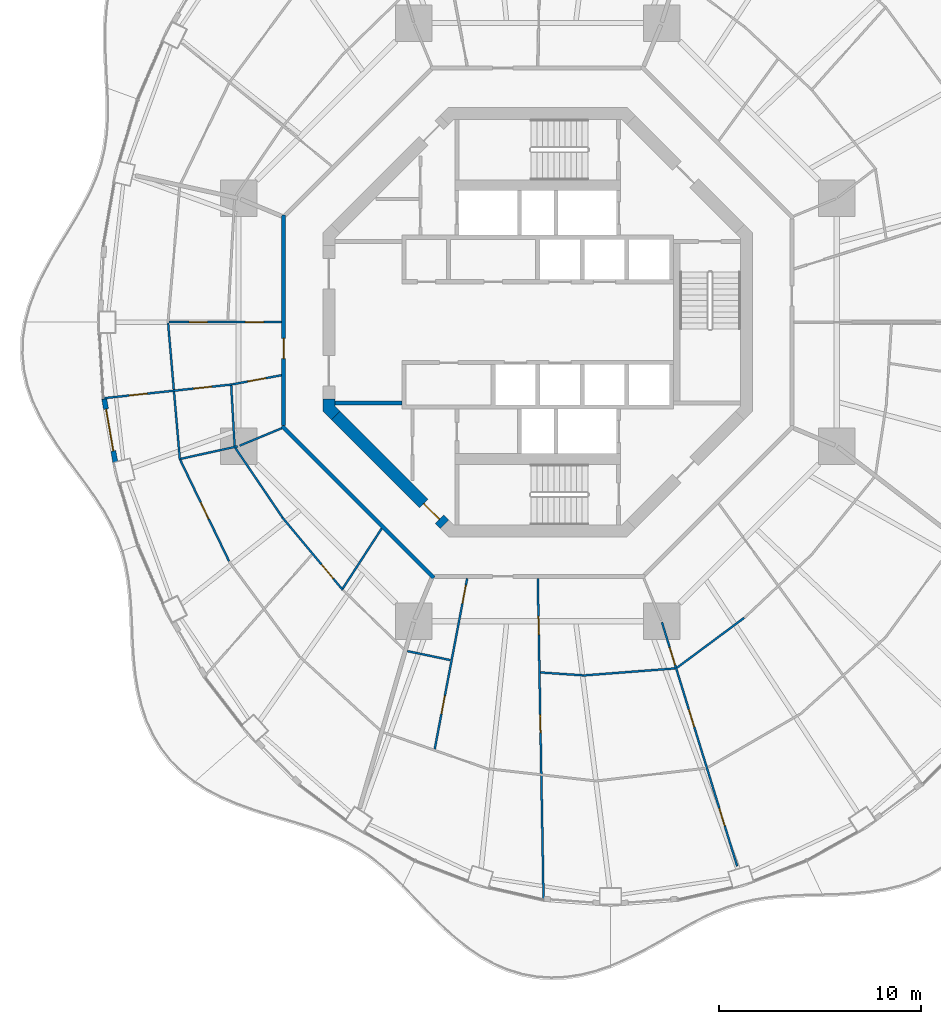
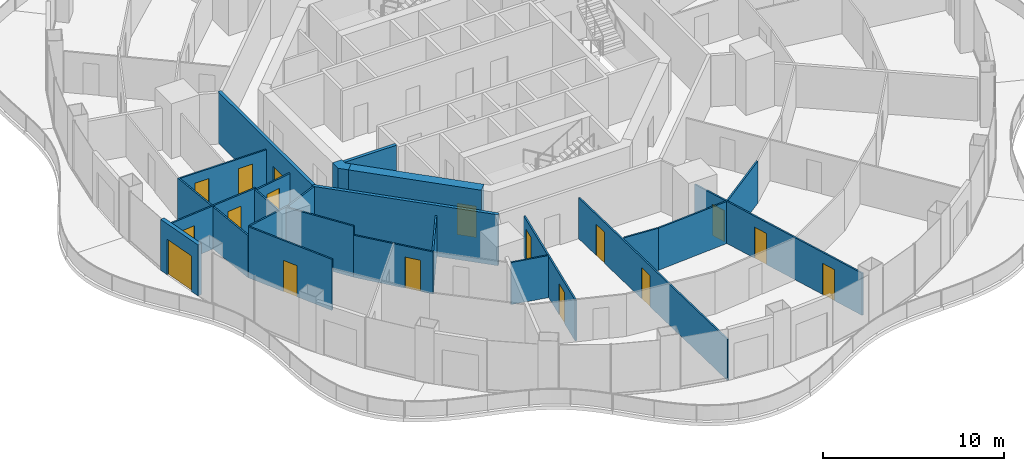
# One storey, part 11 of 19: 24 walls, 17 doors, 17 openings.
"""IFC4 building model written with IfcOpenShell, lengths in metres."""

from ifc_helpers import new_model, si_unit, direction, frame, frame_2d, origin, place, context, subcontext, project, spatial, polyline, rectangle, outline, extrude, material, layer, layer_set, type_object, element, fill, save


model = new_model("IFC4")

# Units and contexts
model_context = context("Model", 3, precision=1e-05, world=origin(), true_north=direction((0.0, 1.0)))
body_context = subcontext(model_context, "Body", "Model", "MODEL_VIEW")
ifc_project = project(units=[si_unit("LENGTHUNIT", "METRE"), si_unit("AREAUNIT", "SQUARE_METRE"), si_unit("VOLUMEUNIT", "CUBIC_METRE"), si_unit("PLANEANGLEUNIT", "RADIAN"), si_unit("MASSUNIT", "GRAM", prefix="KILO")], contexts=[model_context])

# Site, building, storey
site_placement = place(None, origin())
site = spatial("IfcSite", under=ifc_project, at=site_placement, CompositionType="ELEMENT")
building_placement = place(site_placement, origin())
building = spatial("IfcBuilding", under=site, at=building_placement, Name="Nagisa Residences", CompositionType="ELEMENT")
storey_placement = place(building_placement, frame((0.0, 0.0, 173.300048828125)))
storey = spatial("IfcBuildingStorey", under=building, at=storey_placement, Name="L43", CompositionType="ELEMENT", Elevation=173.300048828125)

# Wall, opening, door
ifc_material_1 = material(Name="Gypsum board on steel studs", Category="steel")
ifc_layer_1 = layer(ifc_material_1, 0.199951171875)
ifc_layer_set_1 = layer_set([ifc_layer_1], Name="Apartment entry wall EI60 200")
wall_type_1 = type_object("IfcWallType", Name="Apartment entry wall EI60 200", PredefinedType="PARTITIONING", material=ifc_layer_set_1)
wall_1_placement = place(storey_placement, frame((-12.564697265625, 5.304443359375, 0.0), z_axis=(0.0, 0.0, 1.0), x_axis=(0.0, -1.0, 0.0)))
wall_1 = element("IfcWall", 1, at=wall_1_placement, inside=storey, type_object=wall_type_1, Name="wall:L43:u12", PredefinedType="PARTITIONING", context=body_context, shape_type="SweptSolid", body=[
    extrude(rectangle(XDim=10.408935546875, YDim=0.199951171875, at=frame_2d((5.20458984375, 0.0))), origin(), (0.0, 0.0, 1.0), 3.43994140625),
])
opening_1_placement = place(wall_1_placement, frame((6.105712890625, 0.0, 0.0)))
opening_1 = element("IfcOpeningElement", 2, at=opening_1_placement, cuts=wall_1, Name="Opening L43-U28", PredefinedType="OPENING", context=body_context, shape_type="SweptSolid", body=[
    extrude(rectangle(XDim=1.0, YDim=2.10009765625, at=frame_2d((0.5, 1.050048828125))), frame((0.0, 0.10986328125, 0.0), z_axis=(0.0, -1.0, 0.0), x_axis=(1.0, 0.0, 0.0)), (0.0, 0.0, 1.0), 0.219970703125),
])
ifc_material_2 = material(Name="Timber fire door set", Category="wood")
door_type_1 = type_object("IfcDoorType", Name="Apartment entry door FD30S 1000x2100", OperationType="NOTDEFINED", PredefinedType="DOOR", material=ifc_material_2)
door_1_placement = place(opening_1_placement, frame((1.0, 0.0, 0.0), x_axis=(-1.0, 0.0, 0.0)))
door_1 = element("IfcDoor", 3, at=door_1_placement, inside=storey, type_object=door_type_1, Name="Entry door, Apartment 43C", OperationType="SINGLE_SWING_LEFT", OverallHeight=2.10009765625, OverallWidth=1.0, PredefinedType="DOOR", context=body_context, shape_type="SweptSolid", body=[
    extrude(rectangle(XDim=1.0, YDim=2.10009765625, at=frame_2d((0.5, 1.050048828125))), frame((0.0, 0.02490234375, 0.0), z_axis=(0.0, -1.0, 0.0), x_axis=(1.0, 0.0, 0.0)), (0.0, 0.0, 1.0), 0.050048828125),
])
fill(opening_1, door_1)

# Wall
wall_2_placement = place(storey_placement, frame((-12.635498046875, -5.1337890625, 0.0), z_axis=(0.0, 0.0, 1.0), x_axis=(0.707106781187, -0.707106781187, 0.0)))
element("IfcWall", 4, at=wall_2_placement, inside=storey, type_object=wall_type_1, Name="wall:L43:u13", PredefinedType="PARTITIONING", context=body_context, shape_type="SweptSolid", body=[
    extrude(rectangle(XDim=10.609130859375, YDim=0.199951171875, at=frame_2d((5.3046875, 0.0))), origin(), (0.0, 0.0, 1.0), 3.43994140625),
])

# Wall, openings, doors
ifc_material_3 = material(Name="Gypsum board on steel studs", Category="steel")
ifc_layer_2 = layer(ifc_material_3, 0.10009765625)
ifc_layer_set_2 = layer_set([ifc_layer_2], Name="Apartment partition 100")
wall_type_2 = type_object("IfcWallType", Name="Apartment partition 100", PredefinedType="PARTITIONING", material=ifc_layer_set_2)
wall_3_placement = place(storey_placement, frame((-12.664794921875, 0.0, 0.0), z_axis=(0.0, 0.0, 1.0), x_axis=(-1.0, 0.0, 0.0)))
wall_3 = element("IfcWall", 5, at=wall_3_placement, inside=storey, type_object=wall_type_2, Name="wall:L43:u55", PredefinedType="PARTITIONING", context=body_context, shape_type="SweptSolid", body=[
    extrude(rectangle(XDim=5.560302734375, YDim=0.10009765625, at=frame_2d((2.7802734375, 0.0))), origin(), (0.0, 0.0, 1.0), 2.755859375),
])
opening_2_placement = place(wall_3_placement, frame((0.881591796875, 0.0, 0.0)))
opening_2 = element("IfcOpeningElement", 6, at=opening_2_placement, cuts=wall_3, Name="Opening L43-U29", PredefinedType="OPENING", context=body_context, shape_type="SweptSolid", body=[
    extrude(rectangle(XDim=0.89990234375, YDim=2.10009765625, at=frame_2d((0.449951171875, 1.050048828125))), frame((0.0, 0.06005859375, 0.0), z_axis=(0.0, -1.0, 0.0), x_axis=(1.0, 0.0, 0.0)), (0.0, 0.0, 1.0), 0.1201171875),
])
opening_3_placement = place(wall_3_placement, frame((3.66162109375, 0.0, 0.0)))
opening_3 = element("IfcOpeningElement", 7, at=opening_3_placement, cuts=wall_3, Name="Opening L43-U31", PredefinedType="OPENING", context=body_context, shape_type="SweptSolid", body=[
    extrude(rectangle(XDim=0.89990234375, YDim=2.10009765625, at=frame_2d((0.449951171875, 1.050048828125))), frame((0.0, 0.06005859375, 0.0), z_axis=(0.0, -1.0, 0.0), x_axis=(1.0, 0.0, 0.0)), (0.0, 0.0, 1.0), 0.1201171875),
])
ifc_material_4 = material(Name="Timber door set", Category="wood")
door_type_2 = type_object("IfcDoorType", Name="Apartment door 900x2100", OperationType="NOTDEFINED", PredefinedType="DOOR", material=ifc_material_4)
door_2_placement = place(opening_2_placement, frame((0.89990234375, 0.0, 0.0), x_axis=(-1.0, 0.0, 0.0)))
door_2 = element("IfcDoor", 8, at=door_2_placement, inside=storey, type_object=door_type_2, Name="Door to laundry, Apartment 43C", OperationType="SINGLE_SWING_RIGHT", OverallHeight=2.10009765625, OverallWidth=0.89990234375, PredefinedType="DOOR", context=body_context, shape_type="SweptSolid", body=[
    extrude(rectangle(XDim=0.89990234375, YDim=2.10009765625, at=frame_2d((0.449951171875, 1.050048828125))), frame((0.0, 0.02490234375, 0.0), z_axis=(0.0, -1.0, 0.0), x_axis=(1.0, 0.0, 0.0)), (0.0, 0.0, 1.0), 0.050048828125),
])
fill(opening_2, door_2)
door_3_placement = place(opening_3_placement, frame((0.89990234375, 0.0, 0.0), x_axis=(-1.0, 0.0, 0.0)))
door_3 = element("IfcDoor", 9, at=door_3_placement, inside=storey, type_object=door_type_2, Name="Door to study, Apartment 43C", OperationType="SINGLE_SWING_RIGHT", OverallHeight=2.10009765625, OverallWidth=0.89990234375, PredefinedType="DOOR", context=body_context, shape_type="SweptSolid", body=[
    extrude(rectangle(XDim=0.89990234375, YDim=2.10009765625, at=frame_2d((0.449951171875, 1.050048828125))), frame((0.0, 0.02490234375, 0.0), z_axis=(0.0, -1.0, 0.0), x_axis=(1.0, 0.0, 0.0)), (0.0, 0.0, 1.0), 0.050048828125),
])
fill(opening_3, door_3)

# Wall
wall_4_placement = place(storey_placement, frame((-18.270751953125, -0.0498046875, 0.0), z_axis=(0.0, 0.0, 1.0), x_axis=(0.086018199227, -0.996293565874, 0.0)))
element("IfcWall", 10, at=wall_4_placement, inside=storey, type_object=wall_type_2, Name="wall:L43:u56", PredefinedType="PARTITIONING", context=body_context, shape_type="SweptSolid", body=[
    extrude(rectangle(XDim=6.7890625, YDim=0.10009765625, at=frame_2d((3.39453125, 0.0))), origin(), (0.0, 0.0, 1.0), 2.8369140625),
])

# Wall, opening, door
wall_5_placement = place(storey_placement, frame((-12.6630859375, -2.62060546875, 0.0), z_axis=(0.0, 0.0, 1.0), x_axis=(-0.983176884312, -0.182655999505, 0.0)))
wall_5 = element("IfcWall", 11, at=wall_5_placement, inside=storey, type_object=wall_type_2, Name="wall:L43:u57", PredefinedType="PARTITIONING", context=body_context, shape_type="SweptSolid", body=[
    extrude(rectangle(XDim=2.4833984375, YDim=0.10009765625, at=frame_2d((1.24169921875, 0.0))), origin(), (0.0, 0.0, 1.0), 2.755859375),
])
opening_4_placement = place(wall_5_placement, frame((0.791748046875, 0.0, 0.0)))
opening_4 = element("IfcOpeningElement", 12, at=opening_4_placement, cuts=wall_5, Name="Opening L43-U30", PredefinedType="OPENING", context=body_context, shape_type="SweptSolid", body=[
    extrude(rectangle(XDim=0.89990234375, YDim=2.10009765625, at=frame_2d((0.449951171875, 1.050048828125))), frame((0.0, 0.06005859375, 0.0), z_axis=(0.0, -1.0, 0.0), x_axis=(1.0, 0.0, 0.0)), (0.0, 0.0, 1.0), 0.1201171875),
])
door_4_placement = place(opening_4_placement, origin())
door_4 = element("IfcDoor", 13, at=door_4_placement, inside=storey, type_object=door_type_2, Name="Door to family bathroom, Apartment 43C", OperationType="SINGLE_SWING_RIGHT", OverallHeight=2.10009765625, OverallWidth=0.89990234375, PredefinedType="DOOR", context=body_context, shape_type="SweptSolid", body=[
    extrude(rectangle(XDim=0.89990234375, YDim=2.10009765625, at=frame_2d((0.449951171875, 1.050048828125))), frame((0.0, 0.02490234375, 0.0), z_axis=(0.0, -1.0, 0.0), x_axis=(1.0, 0.0, 0.0)), (0.0, 0.0, 1.0), 0.050048828125),
])
fill(opening_4, door_4)

# Wall, openings, doors
wall_6_placement = place(storey_placement, frame((-15.104248046875, -3.077880859375, 0.0), z_axis=(0.0, 0.0, 1.0), x_axis=(-0.994316167803, -0.106467640365, 0.0)))
wall_6 = element("IfcWall", 14, at=wall_6_placement, inside=storey, type_object=wall_type_2, Name="wall:L43:u58", PredefinedType="PARTITIONING", context=body_context, shape_type="SweptSolid", body=[
    extrude(rectangle(XDim=6.450439453125, YDim=0.10009765625, at=frame_2d((3.22509765625, 0.0))), origin(), (0.0, 0.0, 1.0), 2.905029296875),
])
opening_5_placement = place(wall_6_placement, frame((1.0224609375, 0.0, 0.0)))
opening_5 = element("IfcOpeningElement", 15, at=opening_5_placement, cuts=wall_6, Name="Opening L43-U32", PredefinedType="OPENING", context=body_context, shape_type="SweptSolid", body=[
    extrude(rectangle(XDim=0.89990234375, YDim=2.10009765625, at=frame_2d((0.449951171875, 1.050048828125))), frame((0.0, 0.06005859375, 0.0), z_axis=(0.0, -1.0, 0.0), x_axis=(1.0, 0.0, 0.0)), (0.0, 0.0, 1.0), 0.1201171875),
])
opening_6_placement = place(wall_6_placement, frame((4.222900390625, 0.0, 0.0)))
opening_6 = element("IfcOpeningElement", 16, at=opening_6_placement, cuts=wall_6, Name="Opening L43-U34", PredefinedType="OPENING", context=body_context, shape_type="SweptSolid", body=[
    extrude(rectangle(XDim=0.89990234375, YDim=2.10009765625, at=frame_2d((0.449951171875, 1.050048828125))), frame((0.0, 0.06005859375, 0.0), z_axis=(0.0, -1.0, 0.0), x_axis=(1.0, 0.0, 0.0)), (0.0, 0.0, 1.0), 0.1201171875),
])
door_5_placement = place(opening_5_placement, origin())
door_5 = element("IfcDoor", 17, at=door_5_placement, inside=storey, type_object=door_type_2, Name="Door to family bathroom, Apartment 43C", OperationType="SINGLE_SWING_RIGHT", OverallHeight=2.10009765625, OverallWidth=0.89990234375, PredefinedType="DOOR", context=body_context, shape_type="SweptSolid", body=[
    extrude(rectangle(XDim=0.89990234375, YDim=2.10009765625, at=frame_2d((0.449951171875, 1.050048828125))), frame((0.0, 0.02490234375, 0.0), z_axis=(0.0, -1.0, 0.0), x_axis=(1.0, 0.0, 0.0)), (0.0, 0.0, 1.0), 0.050048828125),
])
fill(opening_5, door_5)
door_6_placement = place(opening_6_placement, origin())
door_6 = element("IfcDoor", 18, at=door_6_placement, inside=storey, type_object=door_type_2, Name="Door to living room, Apartment 43C", OperationType="SINGLE_SWING_RIGHT", OverallHeight=2.10009765625, OverallWidth=0.89990234375, PredefinedType="DOOR", context=body_context, shape_type="SweptSolid", body=[
    extrude(rectangle(XDim=0.89990234375, YDim=2.10009765625, at=frame_2d((0.449951171875, 1.050048828125))), frame((0.0, 0.02490234375, 0.0), z_axis=(0.0, -1.0, 0.0), x_axis=(1.0, 0.0, 0.0)), (0.0, 0.0, 1.0), 0.050048828125),
])
fill(opening_6, door_6)

# Walls
wall_7_placement = place(storey_placement, frame((-15.151123046875, -3.13330078125, 0.0), z_axis=(0.0, 0.0, 1.0), x_axis=(0.05637501378, -0.998409664327, 0.0)))
element("IfcWall", 19, at=wall_7_placement, inside=storey, type_object=wall_type_2, Name="wall:L43:u59", PredefinedType="PARTITIONING", context=body_context, shape_type="SweptSolid", body=[
    extrude(rectangle(XDim=2.988037109375, YDim=0.10009765625, at=frame_2d((1.494140625, 0.0))), origin(), (0.0, 0.0, 1.0), 2.8369140625),
])
wall_8_placement = place(storey_placement, frame((-12.6572265625, -5.24267578125, 0.0), z_axis=(0.0, 0.0, 1.0), x_axis=(-0.923848837015, -0.382757529444, 0.0)))
element("IfcWall", 20, at=wall_8_placement, inside=storey, type_object=wall_type_2, Name="wall:L43:u60", PredefinedType="PARTITIONING", context=body_context, shape_type="SweptSolid", body=[
    extrude(rectangle(XDim=2.249755859375, YDim=0.10009765625, at=frame_2d((1.125, 0.0))), origin(), (0.0, 0.0, 1.0), 3.43994140625),
])
wall_9_placement = place(storey_placement, frame((-14.830810546875, -6.133544921875, 0.0), z_axis=(0.0, 0.0, 1.0), x_axis=(-0.976560749847, -0.215241961191, 0.0)))
element("IfcWall", 21, at=wall_9_placement, inside=storey, type_object=wall_type_2, Name="wall:L43:u61", PredefinedType="PARTITIONING", context=body_context, shape_type="SweptSolid", body=[
    extrude(rectangle(XDim=2.878662109375, YDim=0.10009765625, at=frame_2d((1.439453125, 0.0))), origin(), (0.0, 0.0, 1.0), 3.43994140625),
])
wall_10_placement = place(storey_placement, frame((-14.951904296875, -6.2080078125, 0.0), z_axis=(0.0, 0.0, 1.0), x_axis=(0.561064907171, -0.827771810308, 0.0)))
element("IfcWall", 22, at=wall_10_placement, inside=storey, type_object=wall_type_2, Name="wall:L43:u62", PredefinedType="PARTITIONING", context=body_context, shape_type="SweptSolid", body=[
    extrude(rectangle(XDim=4.15869140625, YDim=0.10009765625, at=frame_2d((2.079345703125, 0.0))), origin(), (0.0, 0.0, 1.0), 3.43994140625),
])

# Wall, opening, door
wall_11_placement = place(storey_placement, frame((-17.669189453125, -6.80908203125, 0.0), z_axis=(0.0, 0.0, 1.0), x_axis=(0.434040130629, -0.900893536997, 0.0)))
wall_11 = element("IfcWall", 23, at=wall_11_placement, inside=storey, type_object=wall_type_2, Name="wall:L43:u63", PredefinedType="PARTITIONING", context=body_context, shape_type="SweptSolid", body=[
    extrude(rectangle(XDim=5.557861328125, YDim=0.10009765625, at=frame_2d((2.77880859375, 0.0))), origin(), (0.0, 0.0, 1.0), 3.43994140625),
])
opening_7_placement = place(wall_11_placement, frame((2.3291015625, 0.0, 0.0)))
opening_7 = element("IfcOpeningElement", 24, at=opening_7_placement, cuts=wall_11, Name="Opening L43-U36", PredefinedType="OPENING", context=body_context, shape_type="SweptSolid", body=[
    extrude(rectangle(XDim=0.89990234375, YDim=2.10009765625, at=frame_2d((0.449951171875, 1.050048828125))), frame((0.0, 0.06005859375, 0.0), z_axis=(0.0, -1.0, 0.0), x_axis=(1.0, 0.0, 0.0)), (0.0, 0.0, 1.0), 0.1201171875),
])
door_7_placement = place(opening_7_placement, origin())
door_7 = element("IfcDoor", 25, at=door_7_placement, inside=storey, type_object=door_type_2, Name="Door to study, Apartment 43C", OperationType="SINGLE_SWING_RIGHT", OverallHeight=2.10009765625, OverallWidth=0.89990234375, PredefinedType="DOOR", context=body_context, shape_type="SweptSolid", body=[
    extrude(rectangle(XDim=0.89990234375, YDim=2.10009765625, at=frame_2d((0.449951171875, 1.050048828125))), frame((0.0, 0.02490234375, 0.0), z_axis=(0.0, -1.0, 0.0), x_axis=(1.0, 0.0, 0.0)), (0.0, 0.0, 1.0), 0.050048828125),
])
fill(opening_7, door_7)

wall_12_placement = place(storey_placement, frame((-12.62255859375, -9.6533203125, 0.0), z_axis=(0.0, 0.0, 1.0), x_axis=(0.640297481347, -0.768127030758, 0.0)))
wall_12 = element("IfcWall", 26, at=wall_12_placement, inside=storey, type_object=wall_type_2, Name="wall:L43:u64", PredefinedType="PARTITIONING", context=body_context, shape_type="SweptSolid", body=[
    extrude(rectangle(XDim=4.671630859375, YDim=0.10009765625, at=frame_2d((2.3359375, 0.0))), origin(), (0.0, 0.0, 1.0), 2.8369140625),
])
opening_8_placement = place(wall_12_placement, frame((3.028564453125, 0.0, 0.0)))
opening_8 = element("IfcOpeningElement", 27, at=opening_8_placement, cuts=wall_12, Name="Opening L43-U38", PredefinedType="OPENING", context=body_context, shape_type="SweptSolid", body=[
    extrude(rectangle(XDim=0.89990234375, YDim=2.10009765625, at=frame_2d((0.449951171875, 1.050048828125))), frame((0.0, 0.06005859375, 0.0), z_axis=(0.0, -1.0, 0.0), x_axis=(1.0, 0.0, 0.0)), (0.0, 0.0, 1.0), 0.1201171875),
])
door_8_placement = place(opening_8_placement, origin())
door_8 = element("IfcDoor", 28, at=door_8_placement, inside=storey, type_object=door_type_2, Name="Door to store, Apartment 43C", OperationType="SINGLE_SWING_RIGHT", OverallHeight=2.10009765625, OverallWidth=0.89990234375, PredefinedType="DOOR", context=body_context, shape_type="SweptSolid", body=[
    extrude(rectangle(XDim=0.89990234375, YDim=2.10009765625, at=frame_2d((0.449951171875, 1.050048828125))), frame((0.0, 0.02490234375, 0.0), z_axis=(0.0, -1.0, 0.0), x_axis=(1.0, 0.0, 0.0)), (0.0, 0.0, 1.0), 0.050048828125),
])
fill(opening_8, door_8)

# Walls
wall_13_placement = place(storey_placement, frame((-7.71240234375, -10.1953125, 0.0), z_axis=(0.0, 0.0, 1.0), x_axis=(-0.544170086001, -0.838974920663, 0.0)))
element("IfcWall", 29, at=wall_13_placement, inside=storey, type_object=wall_type_2, Name="wall:L43:u67", PredefinedType="PARTITIONING", context=body_context, shape_type="SweptSolid", body=[
    extrude(rectangle(XDim=3.535400390625, YDim=0.10009765625, at=frame_2d((1.767578125, 0.0))), origin(), (0.0, 0.0, 1.0), 2.755859375),
])
wall_14_placement = place(storey_placement, frame((-6.446533203125, -16.25634765625, 0.0), z_axis=(0.0, 0.0, 1.0), x_axis=(0.978909151576, -0.204296042448, 0.0)))
element("IfcWall", 30, at=wall_14_placement, inside=storey, type_object=wall_type_2, Name="wall:L43:u70", PredefinedType="PARTITIONING", context=body_context, shape_type="SweptSolid", body=[
    extrude(rectangle(XDim=2.167724609375, YDim=0.10009765625, at=frame_2d((1.083984375, 0.0))), origin(), (0.0, 0.0, 1.0), 2.8369140625),
])

# Wall, openings, doors
wall_15_placement = place(storey_placement, frame((-3.48828125, -12.6630859375, 0.0), z_axis=(0.0, 0.0, 1.0), x_axis=(-0.186783185485, -0.982401161247, 0.0)))
wall_15 = element("IfcWall", 31, at=wall_15_placement, inside=storey, type_object=wall_type_2, Name="wall:L43:u72", PredefinedType="PARTITIONING", context=body_context, shape_type="SweptSolid", body=[
    extrude(rectangle(XDim=8.595458984375, YDim=0.10009765625, at=frame_2d((4.2978515625, 0.0))), origin(), (0.0, 0.0, 1.0), 2.755859375),
])
opening_9_placement = place(wall_15_placement, frame((0.35009765625, 0.0, 0.0)))
opening_9 = element("IfcOpeningElement", 32, at=opening_9_placement, cuts=wall_15, Name="Opening L43-U41", PredefinedType="OPENING", context=body_context, shape_type="SweptSolid", body=[
    extrude(rectangle(XDim=0.89990234375, YDim=2.10009765625, at=frame_2d((0.449951171875, 1.050048828125))), frame((0.0, 0.06005859375, 0.0), z_axis=(0.0, -1.0, 0.0), x_axis=(1.0, 0.0, 0.0)), (0.0, 0.0, 1.0), 0.1201171875),
])
opening_10_placement = place(wall_15_placement, frame((5.908447265625, 0.0, 0.0)))
opening_10 = element("IfcOpeningElement", 33, at=opening_10_placement, cuts=wall_15, Name="Opening L43-U45", PredefinedType="OPENING", context=body_context, shape_type="SweptSolid", body=[
    extrude(rectangle(XDim=0.89990234375, YDim=2.10009765625, at=frame_2d((0.449951171875, 1.050048828125))), frame((0.0, 0.06005859375, 0.0), z_axis=(0.0, -1.0, 0.0), x_axis=(1.0, 0.0, 0.0)), (0.0, 0.0, 1.0), 0.1201171875),
])
door_9_placement = place(opening_9_placement, frame((0.89990234375, 0.0, 0.0), x_axis=(-1.0, 0.0, 0.0)))
door_9 = element("IfcDoor", 34, at=door_9_placement, inside=storey, type_object=door_type_2, Name="Door to family bathroom, Apartment 43D", OperationType="SINGLE_SWING_RIGHT", OverallHeight=2.10009765625, OverallWidth=0.89990234375, PredefinedType="DOOR", context=body_context, shape_type="SweptSolid", body=[
    extrude(rectangle(XDim=0.89990234375, YDim=2.10009765625, at=frame_2d((0.449951171875, 1.050048828125))), frame((0.0, 0.02490234375, 0.0), z_axis=(0.0, -1.0, 0.0), x_axis=(1.0, 0.0, 0.0)), (0.0, 0.0, 1.0), 0.050048828125),
])
fill(opening_9, door_9)
door_10_placement = place(opening_10_placement, frame((0.89990234375, 0.0, 0.0), x_axis=(-1.0, 0.0, 0.0)))
door_10 = element("IfcDoor", 35, at=door_10_placement, inside=storey, type_object=door_type_2, Name="Door to family bathroom, Apartment 43D", OperationType="SINGLE_SWING_RIGHT", OverallHeight=2.10009765625, OverallWidth=0.89990234375, PredefinedType="DOOR", context=body_context, shape_type="SweptSolid", body=[
    extrude(rectangle(XDim=0.89990234375, YDim=2.10009765625, at=frame_2d((0.449951171875, 1.050048828125))), frame((0.0, 0.02490234375, 0.0), z_axis=(0.0, -1.0, 0.0), x_axis=(1.0, 0.0, 0.0)), (0.0, 0.0, 1.0), 0.050048828125),
])
fill(opening_10, door_10)

wall_16_placement = place(storey_placement, frame((0.001708984375, -12.664794921875, 0.0), z_axis=(0.0, 0.0, 1.0), x_axis=(0.01792079652, -0.999839409631, 0.0)))
wall_16 = element("IfcWall", 36, at=wall_16_placement, inside=storey, type_object=wall_type_2, Name="wall:L43:u74", PredefinedType="PARTITIONING", context=body_context, shape_type="SweptSolid", body=[
    extrude(rectangle(XDim=15.925537109375, YDim=0.10009765625, at=frame_2d((7.962890625, 0.0))), origin(), (0.0, 0.0, 1.0), 2.755859375),
])
opening_11_placement = place(wall_16_placement, frame((1.873291015625, 0.0, 0.0)))
opening_11 = element("IfcOpeningElement", 37, at=opening_11_placement, cuts=wall_16, Name="Opening L43-U42", PredefinedType="OPENING", context=body_context, shape_type="SweptSolid", body=[
    extrude(rectangle(XDim=0.89990234375, YDim=2.10009765625, at=frame_2d((0.449951171875, 1.050048828125))), frame((0.0, 0.06005859375, 0.0), z_axis=(0.0, -1.0, 0.0), x_axis=(1.0, 0.0, 0.0)), (0.0, 0.0, 1.0), 0.1201171875),
])
opening_12_placement = place(wall_16_placement, frame((6.727783203125, 0.0, 0.0)))
opening_12 = element("IfcOpeningElement", 38, at=opening_12_placement, cuts=wall_16, Name="Opening L43-U46", PredefinedType="OPENING", context=body_context, shape_type="SweptSolid", body=[
    extrude(rectangle(XDim=0.89990234375, YDim=2.10009765625, at=frame_2d((0.449951171875, 1.050048828125))), frame((0.0, 0.06005859375, 0.0), z_axis=(0.0, -1.0, 0.0), x_axis=(1.0, 0.0, 0.0)), (0.0, 0.0, 1.0), 0.1201171875),
])
door_11_placement = place(opening_11_placement, origin())
door_11 = element("IfcDoor", 39, at=door_11_placement, inside=storey, type_object=door_type_2, Name="Door to store, Apartment 43D", OperationType="SINGLE_SWING_RIGHT", OverallHeight=2.10009765625, OverallWidth=0.89990234375, PredefinedType="DOOR", context=body_context, shape_type="SweptSolid", body=[
    extrude(rectangle(XDim=0.89990234375, YDim=2.10009765625, at=frame_2d((0.449951171875, 1.050048828125))), frame((0.0, 0.02490234375, 0.0), z_axis=(0.0, -1.0, 0.0), x_axis=(1.0, 0.0, 0.0)), (0.0, 0.0, 1.0), 0.050048828125),
])
fill(opening_11, door_11)
door_12_placement = place(opening_12_placement, origin())
door_12 = element("IfcDoor", 40, at=door_12_placement, inside=storey, type_object=door_type_2, Name="Door to kitchen, Apartment 43D", OperationType="SINGLE_SWING_RIGHT", OverallHeight=2.10009765625, OverallWidth=0.89990234375, PredefinedType="DOOR", context=body_context, shape_type="SweptSolid", body=[
    extrude(rectangle(XDim=0.89990234375, YDim=2.10009765625, at=frame_2d((0.449951171875, 1.050048828125))), frame((0.0, 0.02490234375, 0.0), z_axis=(0.0, -1.0, 0.0), x_axis=(1.0, 0.0, 0.0)), (0.0, 0.0, 1.0), 0.050048828125),
])
fill(opening_12, door_12)

# Walls
wall_17_placement = place(storey_placement, frame((0.144775390625, -17.313720703125, 0.0), z_axis=(0.0, 0.0, 1.0), x_axis=(0.997756833447, -0.06694252243, 0.0)))
element("IfcWall", 41, at=wall_17_placement, inside=storey, type_object=wall_type_2, Name="wall:L43:u75", PredefinedType="PARTITIONING", context=body_context, shape_type="SweptSolid", body=[
    extrude(rectangle(XDim=2.104248046875, YDim=0.10009765625, at=frame_2d((1.05224609375, 0.0))), origin(), (0.0, 0.0, 1.0), 2.8369140625),
])
wall_18_placement = place(storey_placement, frame((2.24462890625, -17.461669921875, 0.0), z_axis=(0.0, 0.0, 1.0), x_axis=(0.997077117727, 0.07640171009, 0.0)))
element("IfcWall", 42, at=wall_18_placement, inside=storey, type_object=wall_type_2, Name="wall:L43:u76", PredefinedType="PARTITIONING", context=body_context, shape_type="SweptSolid", body=[
    extrude(rectangle(XDim=4.56005859375, YDim=0.10009765625, at=frame_2d((2.280029296875, 0.0))), origin(), (0.0, 0.0, 1.0), 2.8369140625),
])

# Wall, openings, doors
wall_19_placement = place(storey_placement, frame((6.1376953125, -14.829833984375, 0.0), z_axis=(0.0, 0.0, 1.0), x_axis=(0.294818517221, -0.955553264818, 0.0)))
wall_19 = element("IfcWall", 43, at=wall_19_placement, inside=storey, type_object=wall_type_2, Name="wall:L43:u79", PredefinedType="PARTITIONING", context=body_context, shape_type="SweptSolid", body=[
    extrude(rectangle(XDim=12.619384765625, YDim=0.10009765625, at=frame_2d((6.3095703125, 0.0))), origin(), (0.0, 0.0, 1.0), 2.8369140625),
])
opening_13_placement = place(wall_19_placement, frame((1.3056640625, 0.0, 0.0)))
opening_13 = element("IfcOpeningElement", 44, at=opening_13_placement, cuts=wall_19, Name="Opening L43-U43", PredefinedType="OPENING", context=body_context, shape_type="SweptSolid", body=[
    extrude(rectangle(XDim=0.89990234375, YDim=2.10009765625, at=frame_2d((0.449951171875, 1.050048828125))), frame((0.0, 0.06005859375, 0.0), z_axis=(0.0, -1.0, 0.0), x_axis=(1.0, 0.0, 0.0)), (0.0, 0.0, 1.0), 0.1201171875),
])
opening_14_placement = place(wall_19_placement, frame((4.5146484375, 0.0, 0.0)))
opening_14 = element("IfcOpeningElement", 45, at=opening_14_placement, cuts=wall_19, Name="Opening L43-U47", PredefinedType="OPENING", context=body_context, shape_type="SweptSolid", body=[
    extrude(rectangle(XDim=0.89990234375, YDim=2.10009765625, at=frame_2d((0.449951171875, 1.050048828125))), frame((0.0, 0.06005859375, 0.0), z_axis=(0.0, -1.0, 0.0), x_axis=(1.0, 0.0, 0.0)), (0.0, 0.0, 1.0), 0.1201171875),
])
opening_15_placement = place(wall_19_placement, frame((9.631591796875, 0.0, 0.0)))
opening_15 = element("IfcOpeningElement", 46, at=opening_15_placement, cuts=wall_19, Name="Opening L43-U51", PredefinedType="OPENING", context=body_context, shape_type="SweptSolid", body=[
    extrude(rectangle(XDim=0.89990234375, YDim=2.10009765625, at=frame_2d((0.449951171875, 1.050048828125))), frame((0.0, 0.06005859375, 0.0), z_axis=(0.0, -1.0, 0.0), x_axis=(1.0, 0.0, 0.0)), (0.0, 0.0, 1.0), 0.1201171875),
])
door_13_placement = place(opening_13_placement, origin())
door_13 = element("IfcDoor", 47, at=door_13_placement, inside=storey, type_object=door_type_2, Name="Door to store, Apartment 43D", OperationType="SINGLE_SWING_LEFT", OverallHeight=2.10009765625, OverallWidth=0.89990234375, PredefinedType="DOOR", context=body_context, shape_type="SweptSolid", body=[
    extrude(rectangle(XDim=0.89990234375, YDim=2.10009765625, at=frame_2d((0.449951171875, 1.050048828125))), frame((0.0, 0.02490234375, 0.0), z_axis=(0.0, -1.0, 0.0), x_axis=(1.0, 0.0, 0.0)), (0.0, 0.0, 1.0), 0.050048828125),
])
fill(opening_13, door_13)
door_14_placement = place(opening_14_placement, origin())
door_14 = element("IfcDoor", 48, at=door_14_placement, inside=storey, type_object=door_type_2, Name="Door to dining room, Apartment 43D", OperationType="SINGLE_SWING_LEFT", OverallHeight=2.10009765625, OverallWidth=0.89990234375, PredefinedType="DOOR", context=body_context, shape_type="SweptSolid", body=[
    extrude(rectangle(XDim=0.89990234375, YDim=2.10009765625, at=frame_2d((0.449951171875, 1.050048828125))), frame((0.0, 0.02490234375, 0.0), z_axis=(0.0, -1.0, 0.0), x_axis=(1.0, 0.0, 0.0)), (0.0, 0.0, 1.0), 0.050048828125),
])
fill(opening_14, door_14)
door_15_placement = place(opening_15_placement, origin())
door_15 = element("IfcDoor", 49, at=door_15_placement, inside=storey, type_object=door_type_2, Name="Door to master bedroom, Apartment 43D", OperationType="SINGLE_SWING_LEFT", OverallHeight=2.10009765625, OverallWidth=0.89990234375, PredefinedType="DOOR", context=body_context, shape_type="SweptSolid", body=[
    extrude(rectangle(XDim=0.89990234375, YDim=2.10009765625, at=frame_2d((0.449951171875, 1.050048828125))), frame((0.0, 0.02490234375, 0.0), z_axis=(0.0, -1.0, 0.0), x_axis=(1.0, 0.0, 0.0)), (0.0, 0.0, 1.0), 0.050048828125),
])
fill(opening_15, door_15)

# Wall
wall_20_placement = place(storey_placement, frame((6.881103515625, -17.07958984375, 0.0), z_axis=(0.0, 0.0, 1.0), x_axis=(0.802784956441, 0.596268659005, 0.0)))
element("IfcWall", 50, at=wall_20_placement, inside=storey, type_object=wall_type_2, Name="wall:L43:u80", PredefinedType="PARTITIONING", context=body_context, shape_type="SweptSolid", body=[
    extrude(rectangle(XDim=4.142333984375, YDim=0.10009765625, at=frame_2d((2.0712890625, 0.0))), origin(), (0.0, 0.0, 1.0), 2.8369140625),
])

# Wall, opening, door
ifc_material_5 = material(Name="Precast concrete C40/50", Category="concrete")
ifc_layer_3 = layer(ifc_material_5, 0.25)
ifc_layer_set_3 = layer_set([ifc_layer_3], Name="BALCONY DOOR WALL 250")
wall_type_3 = type_object("IfcWallType", Name="BALCONY DOOR WALL 250", PredefinedType="SOLIDWALL", material=ifc_layer_set_3)
wall_21_placement = place(storey_placement, frame((-20.8818359375, -6.91015625, 0.0), z_axis=(0.0, 0.0, 1.0), x_axis=(-0.172223552479, 0.98505789067, 0.0)))
wall_21 = element("IfcWall", 51, at=wall_21_placement, inside=storey, type_object=wall_type_3, Name="wall:L43:bay25", PredefinedType="SOLIDWALL", context=body_context, shape_type="SweptSolid", body=[
    extrude(rectangle(XDim=3.2109375, YDim=0.25, at=frame_2d((1.60546875, 0.0))), origin(), (0.0, 0.0, 1.0), 3.43994140625),
])
opening_16_placement = place(wall_21_placement, frame((0.555419921875, 0.0, 0.0)))
opening_16 = element("IfcOpeningElement", 52, at=opening_16_placement, cuts=wall_21, Name="Opening BD-L43-09", PredefinedType="OPENING", context=body_context, shape_type="SweptSolid", body=[
    extrude(rectangle(XDim=2.10009765625, YDim=2.39990234375, at=frame_2d((1.050048828125, 1.199951171875))), frame((0.0, 0.135009765625, 0.0), z_axis=(0.0, -1.0, 0.0), x_axis=(1.0, 0.0, 0.0)), (0.0, 0.0, 1.0), 0.27001953125),
])
ifc_material_6 = material(Name="Aluminium and clear glass", Category="aluminium")
door_type_3 = type_object("IfcDoorType", Name="BALCONY SLIDING DOOR 2100x2400", OperationType="SLIDING_TO_LEFT", PredefinedType="DOOR", material=ifc_material_6)
door_16_placement = place(opening_16_placement, origin())
door_16 = element("IfcDoor", 53, at=door_16_placement, inside=storey, type_object=door_type_3, Name="door:L43:bay25", OperationType="SLIDING_TO_LEFT", OverallHeight=2.39990234375, OverallWidth=2.10009765625, PredefinedType="DOOR", context=body_context, shape_type="SweptSolid", body=[
    extrude(rectangle(XDim=2.10009765625, YDim=2.39990234375, at=frame_2d((1.050048828125, 1.199951171875))), frame((0.0, 0.02490234375, 0.0), z_axis=(0.0, -1.0, 0.0), x_axis=(1.0, 0.0, 0.0)), (0.0, 0.0, 1.0), 0.050048828125),
])
fill(opening_16, door_16)

# Wall
ifc_material_7 = material(Name="Gypsum board on steel studs", Category="steel")
ifc_layer_4 = layer(ifc_material_7, 0.199951171875)
ifc_layer_set_4 = layer_set([ifc_layer_4], Name="Core partition 200")
wall_type_4 = type_object("IfcWallType", Name="Core partition 200", PredefinedType="PARTITIONING", material=ifc_layer_set_4)
wall_22_placement = place(storey_placement, frame((-10.024658203125, -4.0, 0.0), z_axis=(0.0, 0.0, 1.0), x_axis=(1.0, 0.0, 0.0)))
element("IfcWall", 54, at=wall_22_placement, inside=storey, type_object=wall_type_4, Name="wall:L43:PSW", PredefinedType="PARTITIONING", context=body_context, shape_type="SweptSolid", body=[
    extrude(rectangle(XDim=3.32470703125, YDim=0.199951171875, at=frame_2d((1.662353515625, 0.0))), origin(), (0.0, 0.0, 1.0), 3.43994140625),
])

# Wall, opening, door
ifc_material_8 = material(Name="Concrete C60", Category="concrete")
ifc_layer_5 = layer(ifc_material_8, 0.60009765625)
ifc_layer_set_5 = layer_set([ifc_layer_5], Name="Core shear wall 600")
wall_type_5 = type_object("IfcWallType", Name="Core shear wall 600", PredefinedType="SHEAR", material=ifc_layer_set_5)
wall_23_placement = place(storey_placement, frame((-9.98828125, -4.613037109375, 0.0), z_axis=(0.0, 0.0, 1.0), x_axis=(0.707106781187, -0.707106781187, 0.0)))
wall_23 = element("IfcWall", 55, at=wall_23_placement, inside=storey, type_object=wall_type_5, Name="wall:L43:core:flat5", PredefinedType="SHEAR", context=body_context, shape_type="SweptSolid", body=[
    extrude(rectangle(XDim=7.601806640625, YDim=0.60009765625, at=frame_2d((3.80078125, 0.0))), origin(), (0.0, 0.0, 1.0), 3.43994140625),
])
opening_17_placement = place(wall_23_placement, frame((6.15087890625, 0.0, 0.0)))
opening_17 = element("IfcOpeningElement", 56, at=opening_17_placement, cuts=wall_23, Name="Opening L43-C23", PredefinedType="OPENING", context=body_context, shape_type="SweptSolid", body=[
    extrude(rectangle(XDim=1.10009765625, YDim=2.10009765625, at=frame_2d((0.550048828125, 1.050048828125))), frame((0.0, 0.31005859375, 0.0), z_axis=(0.0, -1.0, 0.0), x_axis=(1.0, 0.0, 0.0)), (0.0, 0.0, 1.0), 0.6201171875),
])
ifc_material_9 = material(Name="Steel fire door", Category="steel")
door_type_4 = type_object("IfcDoorType", Name="Fire door EI60 1100x2100 single swing", OperationType="NOTDEFINED", PredefinedType="DOOR", material=ifc_material_9)
door_17_placement = place(opening_17_placement, origin())
door_17 = element("IfcDoor", 57, at=door_17_placement, inside=storey, type_object=door_type_4, Name="Housekeeping lobby door L43", OperationType="SINGLE_SWING_RIGHT", OverallHeight=2.10009765625, OverallWidth=1.10009765625, PredefinedType="DOOR", context=body_context, shape_type="SweptSolid", body=[
    extrude(rectangle(XDim=1.10009765625, YDim=2.10009765625, at=frame_2d((0.550048828125, 1.050048828125))), frame((0.0, 0.02490234375, 0.0), z_axis=(0.0, -1.0, 0.0), x_axis=(1.0, 0.0, 0.0)), (0.0, 0.0, 1.0), 0.050048828125),
])
fill(opening_17, door_17)

# Wall
wall_24_placement = place(storey_placement, origin())
element("IfcWall", 58, at=wall_24_placement, inside=storey, type_object=wall_type_5, Name="wall:L43:core:pier4", PredefinedType="SHEAR", context=body_context, shape_type="SweptSolid", body=[
    extrude(outline(polyline([(-10.62451171875, -3.80078125), (-10.024658203125, -3.80078125), (-10.024658203125, -4.15234375), (-9.776123046875, -4.40087890625), (-10.200439453125, -4.8251953125), (-10.62451171875, -4.40087890625), (-10.62451171875, -3.80078125)])), origin(), (0.0, 0.0, 1.0), 3.43994140625),
])

save(model, "model.ifc")
